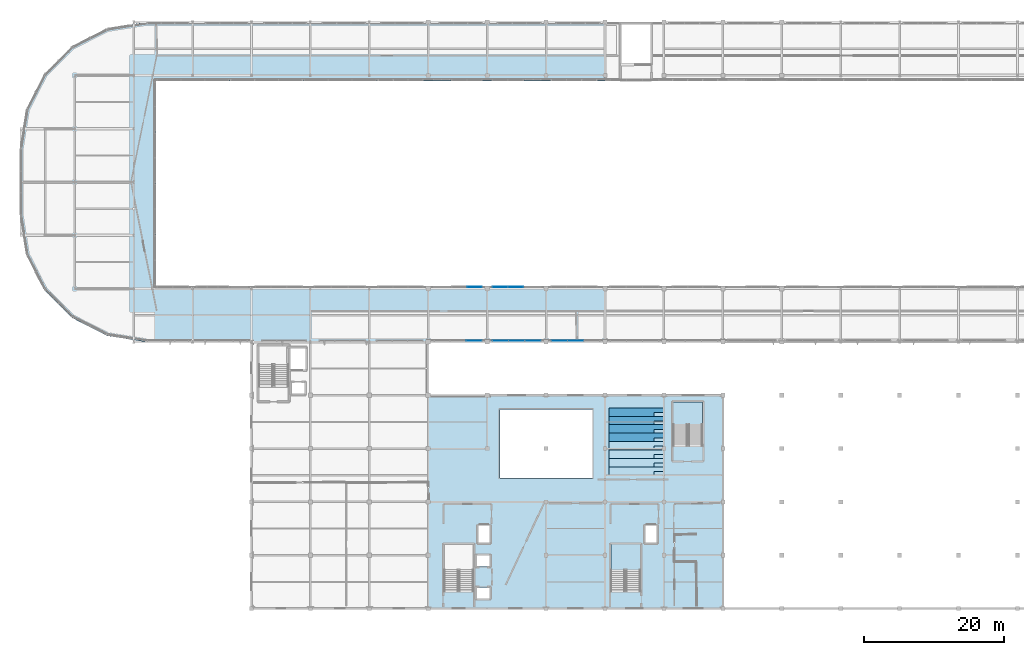
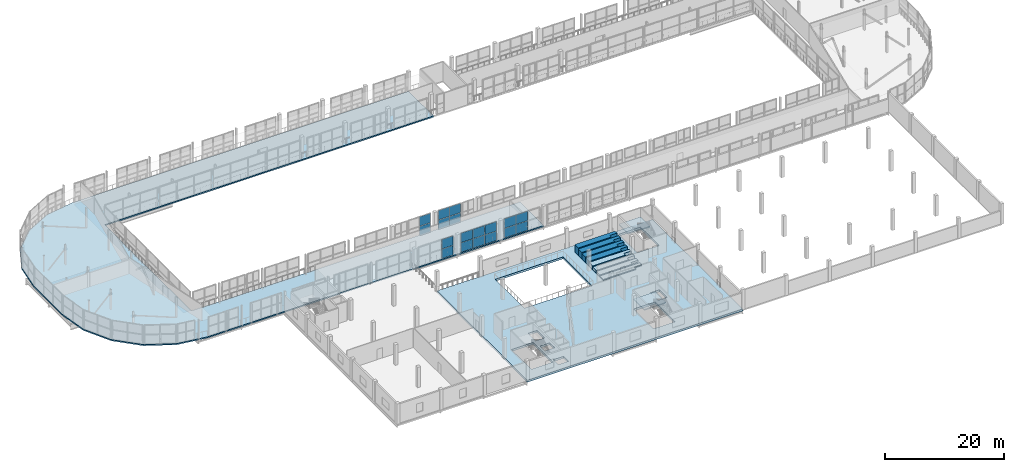
# One storey, part 114 of 151: 18 plates, 12 slabs, 7 elements without a shape of their own.
"""IFC4 building model written with IfcOpenShell, lengths in metres."""

from ifc_helpers import new_model, si_unit, direction, frame, origin, origin_2d, place, context, subcontext, project, spatial, polyline, rectangle, outline, extrude, material, layer, layer_set, type_object, element, aggregate, save


model = new_model("IFC4")

# Units and contexts
model_context = context("Model", 3, precision=1e-05, world=origin(), true_north=direction((0.0, 1.0)))
body_context = subcontext(model_context, "Body", "Model", "MODEL_VIEW")
ifc_project = project(units=[si_unit("LENGTHUNIT", "METRE"), si_unit("AREAUNIT", "SQUARE_METRE"), si_unit("VOLUMEUNIT", "CUBIC_METRE"), si_unit("PLANEANGLEUNIT", "RADIAN"), si_unit("MASSUNIT", "GRAM", prefix="KILO")], contexts=[model_context])

# Site, building, storey
site_placement = place(None, origin())
site = spatial("IfcSite", under=ifc_project, at=site_placement, CompositionType="ELEMENT")
building_placement = place(site_placement, origin())
building = spatial("IfcBuilding", under=site, at=building_placement, Name="Zuvorla Pavilion Media Centre", CompositionType="ELEMENT")
storey_placement = place(building_placement, frame((0.0, 0.0, 13.800048828125)))
storey = spatial("IfcBuildingStorey", under=building, at=storey_placement, Name="L03", CompositionType="ELEMENT", Elevation=13.800048828125)

# Curtain wall, plates
ifc_material_1 = material(Name="Unitised anodised aluminium and solar glass curtain wall", Category="aluminium")
curtain_wall_type_1 = type_object("IfcCurtainWallType", Name="CW-SYS-69", PredefinedType="USERDEFINED", material=ifc_material_1)
curtain_wall_1_placement = place(storey_placement, origin())
curtain_wall_1 = element("IfcCurtainWall", 1, at=curtain_wall_1_placement, inside=storey, type_object=curtain_wall_type_1, Name="L03 curtain wall CW69 137", ObjectType="CURTAIN WALL", PredefinedType="USERDEFINED")
ifc_material_2 = material(Name="Solar control double glazing", Category="glass")
ifc_layer_1 = layer(ifc_material_2, 0.028076171875)
ifc_layer_set_1 = layer_set([ifc_layer_1], Name="Solar control double glazing")
plate_type_1 = type_object("IfcPlateType", Name="CW-PNL-28", PredefinedType="CURTAIN_PANEL", material=ifc_layer_set_1)
plate_1_placement = place(storey_placement, frame((73.31884765625, 44.159912109375, 0.030029296875), z_axis=(0.0, 0.0, 1.0), x_axis=(1.0, 0.0, 0.0)))
plate_1 = element("IfcPlate", 2, at=plate_1_placement, type_object=plate_type_1, Name="CW69 panel 3.1", PredefinedType="CURTAIN_PANEL", context=body_context, shape_type="SweptSolid", body=[
    extrude(rectangle(XDim=2.213623046875, YDim=0.028076171875, at=origin_2d()), origin(), (0.0, 0.0, 1.0), 1.919921875),
])
plate_2_placement = place(storey_placement, frame((73.31884765625, 44.159912109375, 2.010009765625), z_axis=(0.0, 0.0, 1.0), x_axis=(1.0, 0.0, 0.0)))
plate_2 = element("IfcPlate", 3, at=plate_2_placement, type_object=plate_type_1, Name="CW69 panel 3.2", PredefinedType="CURTAIN_PANEL", context=body_context, shape_type="SweptSolid", body=[
    extrude(rectangle(XDim=2.213623046875, YDim=0.028076171875, at=origin_2d()), origin(), (0.0, 0.0, 1.0), 1.919921875),
])
aggregate(curtain_wall_1, [plate_1, plate_2])

curtain_wall_type_2 = type_object("IfcCurtainWallType", Name="CW-SYS-70", PredefinedType="USERDEFINED", material=ifc_material_1)
curtain_wall_2_placement = place(storey_placement, origin())
curtain_wall_2 = element("IfcCurtainWall", 4, at=curtain_wall_2_placement, inside=storey, type_object=curtain_wall_type_2, Name="L03 curtain wall CW70 138", ObjectType="CURTAIN WALL", PredefinedType="USERDEFINED")
ifc_material_3 = material(Name="Acoustic laminated solar glazing", Category="glass")
ifc_layer_2 = layer(ifc_material_3, 0.033935546875)
ifc_layer_set_2 = layer_set([ifc_layer_2], Name="Acoustic laminated solar glazing")
plate_type_2 = type_object("IfcPlateType", Name="CW-PNL-34", PredefinedType="CURTAIN_PANEL", material=ifc_layer_set_2)
plate_3_placement = place(storey_placement, frame((77.09619140625, 44.159912109375, 0.030029296875), z_axis=(0.0, 0.0, 1.0), x_axis=(1.0, 0.0, 0.0)))
plate_3 = element("IfcPlate", 5, at=plate_3_placement, type_object=plate_type_2, Name="CW70 panel 1.1", PredefinedType="CURTAIN_PANEL", context=body_context, shape_type="SweptSolid", body=[
    extrude(rectangle(XDim=2.243896484375, YDim=0.033935546875, at=origin_2d()), origin(), (0.0, 0.0, 1.0), 1.919921875),
])
plate_4_placement = place(storey_placement, frame((77.09619140625, 44.159912109375, 2.010009765625), z_axis=(0.0, 0.0, 1.0), x_axis=(1.0, 0.0, 0.0)))
plate_4 = element("IfcPlate", 6, at=plate_4_placement, type_object=plate_type_2, Name="CW70 panel 1.2", PredefinedType="CURTAIN_PANEL", context=body_context, shape_type="SweptSolid", body=[
    extrude(rectangle(XDim=2.243896484375, YDim=0.033935546875, at=origin_2d()), origin(), (0.0, 0.0, 1.0), 1.919921875),
])
plate_5_placement = place(storey_placement, frame((79.39990234375, 44.159912109375, 0.030029296875), z_axis=(0.0, 0.0, 1.0), x_axis=(1.0, 0.0, 0.0)))
plate_5 = element("IfcPlate", 7, at=plate_5_placement, type_object=plate_type_2, Name="CW70 panel 2.1", PredefinedType="CURTAIN_PANEL", context=body_context, shape_type="SweptSolid", body=[
    extrude(rectangle(XDim=2.243896484375, YDim=0.033935546875, at=origin_2d()), origin(), (0.0, 0.0, 1.0), 1.919921875),
])
plate_6_placement = place(storey_placement, frame((79.39990234375, 44.159912109375, 2.010009765625), z_axis=(0.0, 0.0, 1.0), x_axis=(1.0, 0.0, 0.0)))
plate_6 = element("IfcPlate", 8, at=plate_6_placement, type_object=plate_type_2, Name="CW70 panel 2.2", PredefinedType="CURTAIN_PANEL", context=body_context, shape_type="SweptSolid", body=[
    extrude(rectangle(XDim=2.243896484375, YDim=0.033935546875, at=origin_2d()), origin(), (0.0, 0.0, 1.0), 1.919921875),
])
plate_7_placement = place(storey_placement, frame((81.703857421875, 44.159912109375, 0.030029296875), z_axis=(0.0, 0.0, 1.0), x_axis=(1.0, 0.0, 0.0)))
plate_7 = element("IfcPlate", 9, at=plate_7_placement, type_object=plate_type_2, Name="CW70 panel 3.1", PredefinedType="CURTAIN_PANEL", context=body_context, shape_type="SweptSolid", body=[
    extrude(rectangle(XDim=2.243896484375, YDim=0.033935546875, at=origin_2d()), origin(), (0.0, 0.0, 1.0), 1.919921875),
])
plate_8_placement = place(storey_placement, frame((81.703857421875, 44.159912109375, 2.010009765625), z_axis=(0.0, 0.0, 1.0), x_axis=(1.0, 0.0, 0.0)))
plate_8 = element("IfcPlate", 10, at=plate_8_placement, type_object=plate_type_2, Name="CW70 panel 3.2", PredefinedType="CURTAIN_PANEL", context=body_context, shape_type="SweptSolid", body=[
    extrude(rectangle(XDim=2.243896484375, YDim=0.033935546875, at=origin_2d()), origin(), (0.0, 0.0, 1.0), 1.919921875),
])
aggregate(curtain_wall_2, [plate_3, plate_4, plate_5, plate_6, plate_7, plate_8])

curtain_wall_type_3 = type_object("IfcCurtainWallType", Name="CW-SYS-41", PredefinedType="USERDEFINED", material=ifc_material_1)
curtain_wall_3_placement = place(storey_placement, origin())
curtain_wall_3 = element("IfcCurtainWall", 11, at=curtain_wall_3_placement, inside=storey, type_object=curtain_wall_type_3, Name="L03 curtain wall CW41 160", ObjectType="CURTAIN WALL", PredefinedType="USERDEFINED")
plate_9_placement = place(storey_placement, frame((73.3818359375, 51.840087890625, 0.030029296875), z_axis=(0.0, 0.0, 1.0), x_axis=(1.0, 0.0, 0.0)))
plate_9 = element("IfcPlate", 12, at=plate_9_placement, type_object=plate_type_2, Name="CW41 panel 2.1", PredefinedType="CURTAIN_PANEL", context=body_context, shape_type="SweptSolid", body=[
    extrude(rectangle(XDim=2.087890625, YDim=0.033935546875, at=origin_2d()), origin(), (0.0, 0.0, 1.0), 1.919921875),
])
plate_10_placement = place(storey_placement, frame((73.3818359375, 51.840087890625, 2.010009765625), z_axis=(0.0, 0.0, 1.0), x_axis=(1.0, 0.0, 0.0)))
plate_10 = element("IfcPlate", 13, at=plate_10_placement, type_object=plate_type_2, Name="CW41 panel 2.2", PredefinedType="CURTAIN_PANEL", context=body_context, shape_type="SweptSolid", body=[
    extrude(rectangle(XDim=2.087890625, YDim=0.033935546875, at=origin_2d()), origin(), (0.0, 0.0, 1.0), 1.919921875),
])
aggregate(curtain_wall_3, [plate_9, plate_10])

curtain_wall_type_4 = type_object("IfcCurtainWallType", Name="CW-SYS-78", PredefinedType="USERDEFINED", material=ifc_material_1)
curtain_wall_4_placement = place(storey_placement, origin())
curtain_wall_4 = element("IfcCurtainWall", 14, at=curtain_wall_4_placement, inside=storey, type_object=curtain_wall_type_4, Name="L03 curtain wall CW78 161", ObjectType="CURTAIN WALL", PredefinedType="USERDEFINED")
plate_11_placement = place(storey_placement, frame((77.043212890625, 51.840087890625, 0.030029296875), z_axis=(0.0, 0.0, 1.0), x_axis=(1.0, 0.0, 0.0)))
plate_11 = element("IfcPlate", 15, at=plate_11_placement, type_object=plate_type_2, Name="CW78 panel 1.1", PredefinedType="CURTAIN_PANEL", context=body_context, shape_type="SweptSolid", body=[
    extrude(rectangle(XDim=2.137939453125, YDim=0.033935546875, at=origin_2d()), origin(), (0.0, 0.0, 1.0), 1.919921875),
])
plate_12_placement = place(storey_placement, frame((77.043212890625, 51.840087890625, 2.010009765625), z_axis=(0.0, 0.0, 1.0), x_axis=(1.0, 0.0, 0.0)))
plate_12 = element("IfcPlate", 16, at=plate_12_placement, type_object=plate_type_2, Name="CW78 panel 1.2", PredefinedType="CURTAIN_PANEL", context=body_context, shape_type="SweptSolid", body=[
    extrude(rectangle(XDim=2.137939453125, YDim=0.033935546875, at=origin_2d()), origin(), (0.0, 0.0, 1.0), 1.919921875),
])
plate_13_placement = place(storey_placement, frame((79.240966796875, 51.840087890625, 0.030029296875), z_axis=(0.0, 0.0, 1.0), x_axis=(1.0, 0.0, 0.0)))
plate_13 = element("IfcPlate", 17, at=plate_13_placement, type_object=plate_type_2, Name="CW78 panel 2.1", PredefinedType="CURTAIN_PANEL", context=body_context, shape_type="SweptSolid", body=[
    extrude(rectangle(XDim=2.137939453125, YDim=0.033935546875, at=origin_2d()), origin(), (0.0, 0.0, 1.0), 1.919921875),
])
plate_14_placement = place(storey_placement, frame((79.240966796875, 51.840087890625, 2.010009765625), z_axis=(0.0, 0.0, 1.0), x_axis=(1.0, 0.0, 0.0)))
plate_14 = element("IfcPlate", 18, at=plate_14_placement, type_object=plate_type_2, Name="CW78 panel 2.2", PredefinedType="CURTAIN_PANEL", context=body_context, shape_type="SweptSolid", body=[
    extrude(rectangle(XDim=2.137939453125, YDim=0.033935546875, at=origin_2d()), origin(), (0.0, 0.0, 1.0), 1.919921875),
])
aggregate(curtain_wall_4, [plate_11, plate_12, plate_13, plate_14])

curtain_wall_type_5 = type_object("IfcCurtainWallType", Name="CW-SYS-71", PredefinedType="USERDEFINED", material=ifc_material_1)
curtain_wall_5_placement = place(storey_placement, origin())
curtain_wall_5 = element("IfcCurtainWall", 19, at=curtain_wall_5_placement, inside=storey, type_object=curtain_wall_type_5, Name="L03 curtain wall CW71 139", ObjectType="CURTAIN WALL", PredefinedType="USERDEFINED")
ifc_material_4 = material(Name="Triple acoustic broadcast glazing", Category="glass")
ifc_layer_3 = layer(ifc_material_4, 0.0419921875)
ifc_layer_set_3 = layer_set([ifc_layer_3], Name="Triple acoustic broadcast glazing")
plate_type_3 = type_object("IfcPlateType", Name="CW-PNL-42", PredefinedType="CURTAIN_PANEL", material=ifc_layer_set_3)
plate_15_placement = place(storey_placement, frame((85.49609375, 44.159912109375, 0.030029296875), z_axis=(0.0, 0.0, 1.0), x_axis=(1.0, 0.0, 0.0)))
plate_15 = element("IfcPlate", 20, at=plate_15_placement, type_object=plate_type_3, Name="CW71 panel 1.1", PredefinedType="CURTAIN_PANEL", context=body_context, shape_type="SweptSolid", body=[
    extrude(rectangle(XDim=2.243896484375, YDim=0.0419921875, at=origin_2d()), origin(), (0.0, 0.0, 1.0), 1.919921875),
])
plate_16_placement = place(storey_placement, frame((85.49609375, 44.159912109375, 2.010009765625), z_axis=(0.0, 0.0, 1.0), x_axis=(1.0, 0.0, 0.0)))
plate_16 = element("IfcPlate", 21, at=plate_16_placement, type_object=plate_type_3, Name="CW71 panel 1.2", PredefinedType="CURTAIN_PANEL", context=body_context, shape_type="SweptSolid", body=[
    extrude(rectangle(XDim=2.243896484375, YDim=0.0419921875, at=origin_2d()), origin(), (0.0, 0.0, 1.0), 1.919921875),
])
plate_17_placement = place(storey_placement, frame((87.800048828125, 44.159912109375, 0.030029296875), z_axis=(0.0, 0.0, 1.0), x_axis=(1.0, 0.0, 0.0)))
plate_17 = element("IfcPlate", 22, at=plate_17_placement, type_object=plate_type_3, Name="CW71 panel 2.1", PredefinedType="CURTAIN_PANEL", context=body_context, shape_type="SweptSolid", body=[
    extrude(rectangle(XDim=2.243896484375, YDim=0.0419921875, at=origin_2d()), origin(), (0.0, 0.0, 1.0), 1.919921875),
])
plate_18_placement = place(storey_placement, frame((87.800048828125, 44.159912109375, 2.010009765625), z_axis=(0.0, 0.0, 1.0), x_axis=(1.0, 0.0, 0.0)))
plate_18 = element("IfcPlate", 23, at=plate_18_placement, type_object=plate_type_3, Name="CW71 panel 2.2", PredefinedType="CURTAIN_PANEL", context=body_context, shape_type="SweptSolid", body=[
    extrude(rectangle(XDim=2.243896484375, YDim=0.0419921875, at=origin_2d()), origin(), (0.0, 0.0, 1.0), 1.919921875),
])
aggregate(curtain_wall_5, [plate_15, plate_16, plate_17, plate_18])

# Slabs
ifc_material_5 = material(Name="Concrete C40/50", Category="concrete")
ifc_layer_4 = layer(ifc_material_5, 0.25)
ifc_layer_set_4 = layer_set([ifc_layer_4], Name="Concrete C40/50")
slab_type_1 = type_object("IfcSlabType", Name="SLB-FLR-250", PredefinedType="FLOOR", material=ifc_layer_set_4)
slab_1_placement = place(storey_placement, frame((0.0, 0.0, -0.25)))
element("IfcSlab", 24, at=slab_1_placement, inside=storey, type_object=slab_type_1, Name="L03 floor slab RING", PredefinedType="FLOOR", context=body_context, shape_type="SweptSolid", body=[
    extrude(outline(polyline([(21.03759765625, 44.881103515625), (16.02001953125, 47.437744140625), (12.03759765625, 51.419921875), (9.48095703125, 56.437744140625), (8.60009765625, 62.0), (8.60009765625, 71.60009765625), (9.48095703125, 77.162353515625), (12.03759765625, 82.18017578125), (16.02001953125, 86.162353515625), (21.03759765625, 88.718994140625), (26.60009765625, 89.60009765625), (92.0, 89.60009765625), (92.0, 81.199951171875), (28.0, 81.199951171875), (28.0, 52.0), (92.0, 52.0), (92.0, 44.0), (26.60009765625, 44.0), (21.03759765625, 44.881103515625)])), origin(), (0.0, 0.0, 1.0), 0.25),
])
ifc_layer_5 = layer(ifc_material_5, 0.419921875)
ifc_layer_set_5 = layer_set([ifc_layer_5], Name="Concrete C40/50")
slab_type_2 = type_object("IfcSlabType", Name="SLB-FLR-400", PredefinedType="FLOOR", material=ifc_layer_set_5)
slab_2_placement = place(storey_placement, frame((0.0, 0.0, -0.420166015625)))
element("IfcSlab", 25, at=slab_2_placement, inside=storey, type_object=slab_type_2, Name="L03 floor slab CB", PredefinedType="FLOOR", context=body_context, shape_type="SweptSolid", body=[
    extrude(outline(polyline([(66.800048828125, 6.0), (66.800048828125, 36.39990234375), (108.800048828125, 36.39990234375), (108.800048828125, 6.0), (66.800048828125, 6.0)]), holes=[polyline([(73.669921875, 9.030029296875), (73.669921875, 7.3701171875), (75.6298828125, 7.3701171875), (75.6298828125, 9.030029296875), (73.669921875, 9.030029296875)]), polyline([(69.050048828125, 15.14990234375), (69.050048828125, 8.449951171875), (73.25, 8.449951171875), (73.25, 15.14990234375), (69.050048828125, 15.14990234375)]), polyline([(92.85009765625, 15.14990234375), (92.85009765625, 8.449951171875), (97.050048828125, 8.449951171875), (97.050048828125, 15.14990234375), (92.85009765625, 15.14990234375)]), polyline([(73.669921875, 13.6298828125), (73.669921875, 11.969970703125), (75.6298828125, 11.969970703125), (75.6298828125, 13.6298828125), (73.669921875, 13.6298828125)]), polyline([(73.8701171875, 17.8798828125), (73.8701171875, 15.320068359375), (75.6298828125, 15.320068359375), (75.6298828125, 17.8798828125), (73.8701171875, 17.8798828125)]), polyline([(97.669921875, 17.8798828125), (97.669921875, 15.320068359375), (99.429931640625, 15.320068359375), (99.429931640625, 17.8798828125), (97.669921875, 17.8798828125)]), polyline([(77.0, 34.39990234375), (77.0, 24.60009765625), (90.199951171875, 24.60009765625), (90.199951171875, 34.39990234375), (77.0, 34.39990234375)]), polyline([(101.699951171875, 35.449951171875), (101.699951171875, 29.199951171875), (105.89990234375, 29.199951171875), (105.89990234375, 35.449951171875), (101.699951171875, 35.449951171875)])]), origin(), (0.0, 0.0, 1.0), 0.420166015625),
])

# Stair, slab
stair_type = type_object("IfcStairType", Name="STR-DOG-420", PredefinedType="TWO_STRAIGHT_RUN_STAIR", material=ifc_material_5)
stair_1_placement = place(storey_placement, origin())
stair_1 = element("IfcStair", 26, at=stair_1_placement, inside=storey, type_object=stair_type, Name="L03 exit stair ST-02", PredefinedType="TWO_STRAIGHT_RUN_STAIR")
ifc_layer_6 = layer(ifc_material_5, 0.199951171875)
ifc_layer_set_6 = layer_set([ifc_layer_6], Name="Concrete C40/50")
slab_type_3 = type_object("IfcSlabType", Name="SLB-LND-200", PredefinedType="LANDING", material=ifc_layer_set_6)
slab_3_placement = place(storey_placement, frame((0.0, 0.0, 1.89990234375)))
slab_3 = element("IfcSlab", 27, at=slab_3_placement, type_object=slab_type_3, Name="ST-02 landing 1", PredefinedType="LANDING", context=body_context, shape_type="SweptSolid", body=[
    extrude(outline(polyline([(92.830078125, 11.510009765625), (97.070068359375, 11.510009765625), (97.070068359375, 15.169921875), (92.830078125, 15.169921875), (92.830078125, 11.510009765625)])), origin(), (0.0, 0.0, 1.0), 0.199951171875),
])
aggregate(stair_1, [slab_3])

stair_2_placement = place(storey_placement, origin())
stair_2 = element("IfcStair", 28, at=stair_2_placement, inside=storey, type_object=stair_type, Name="L03 exit stair ST-04", PredefinedType="TWO_STRAIGHT_RUN_STAIR")
slab_4_placement = place(storey_placement, frame((0.0, 0.0, 1.89990234375)))
slab_4 = element("IfcSlab", 29, at=slab_4_placement, type_object=slab_type_3, Name="ST-04 landing 1", PredefinedType="LANDING", context=body_context, shape_type="SweptSolid", body=[
    extrude(outline(polyline([(101.679931640625, 32.260009765625), (105.919921875, 32.260009765625), (105.919921875, 35.469970703125), (101.679931640625, 35.469970703125), (101.679931640625, 32.260009765625)])), origin(), (0.0, 0.0, 1.0), 0.199951171875),
])
aggregate(stair_2, [slab_4])

# Slabs
ifc_material_6 = material(Name="Precast concrete C40/50", Category="concrete")
ifc_layer_7 = layer(ifc_material_6, 0.14990234375)
ifc_layer_set_7 = layer_set([ifc_layer_7], Name="Precast concrete C40/50")
slab_type_4 = type_object("IfcSlabType", Name="SLB-TIER-150", PredefinedType="USERDEFINED", material=ifc_layer_set_7)
slab_5_placement = place(storey_placement, origin())
element("IfcSlab", 30, at=slab_5_placement, inside=storey, type_object=slab_type_4, Name="L03 SCR5 seating tier 1", ObjectType="SEATING TIER", PredefinedType="USERDEFINED", context=body_context, shape_type="SweptSolid", body=[
    extrude(outline(polyline([(92.60009765625, 25.0), (99.0, 25.0), (99.0, 25.5400390625), (100.39990234375, 25.5400390625), (100.39990234375, 26.199951171875), (92.60009765625, 26.199951171875), (92.60009765625, 25.0)])), origin(), (0.0, 0.0, 1.0), 0.199951171875),
])
slab_6_placement = place(storey_placement, origin())
element("IfcSlab", 31, at=slab_6_placement, inside=storey, type_object=slab_type_4, Name="L03 SCR5 seating tier 2", ObjectType="SEATING TIER", PredefinedType="USERDEFINED", context=body_context, shape_type="SweptSolid", body=[
    extrude(outline(polyline([(92.60009765625, 26.199951171875), (99.0, 26.199951171875), (99.0, 26.739990234375), (100.39990234375, 26.739990234375), (100.39990234375, 27.39990234375), (92.60009765625, 27.39990234375), (92.60009765625, 26.199951171875)])), origin(), (0.0, 0.0, 1.0), 0.39990234375),
])
slab_7_placement = place(storey_placement, origin())
element("IfcSlab", 32, at=slab_7_placement, inside=storey, type_object=slab_type_4, Name="L03 SCR5 seating tier 3", ObjectType="SEATING TIER", PredefinedType="USERDEFINED", context=body_context, shape_type="SweptSolid", body=[
    extrude(outline(polyline([(92.60009765625, 27.39990234375), (99.0, 27.39990234375), (99.0, 27.93994140625), (100.39990234375, 27.93994140625), (100.39990234375, 28.60009765625), (92.60009765625, 28.60009765625), (92.60009765625, 27.39990234375)])), origin(), (0.0, 0.0, 1.0), 0.599853515625),
])
slab_8_placement = place(storey_placement, origin())
element("IfcSlab", 33, at=slab_8_placement, inside=storey, type_object=slab_type_4, Name="L03 SCR5 seating tier 4", ObjectType="SEATING TIER", PredefinedType="USERDEFINED", context=body_context, shape_type="SweptSolid", body=[
    extrude(outline(polyline([(92.60009765625, 28.60009765625), (99.0, 28.60009765625), (99.0, 29.139892578125), (100.39990234375, 29.139892578125), (100.39990234375, 29.800048828125), (92.60009765625, 29.800048828125), (92.60009765625, 28.60009765625)])), origin(), (0.0, 0.0, 1.0), 0.800048828125),
])
slab_9_placement = place(storey_placement, origin())
element("IfcSlab", 34, at=slab_9_placement, inside=storey, type_object=slab_type_4, Name="L03 SCR5 seating tier 5", ObjectType="SEATING TIER", PredefinedType="USERDEFINED", context=body_context, shape_type="SweptSolid", body=[
    extrude(outline(polyline([(92.60009765625, 29.800048828125), (99.0, 29.800048828125), (99.0, 30.340087890625), (100.39990234375, 30.340087890625), (100.39990234375, 31.0), (92.60009765625, 31.0), (92.60009765625, 29.800048828125)])), origin(), (0.0, 0.0, 1.0), 1.0),
])
slab_10_placement = place(storey_placement, origin())
element("IfcSlab", 35, at=slab_10_placement, inside=storey, type_object=slab_type_4, Name="L03 SCR5 seating tier 6", ObjectType="SEATING TIER", PredefinedType="USERDEFINED", context=body_context, shape_type="SweptSolid", body=[
    extrude(outline(polyline([(92.60009765625, 31.0), (99.0, 31.0), (99.0, 31.5400390625), (100.39990234375, 31.5400390625), (100.39990234375, 32.199951171875), (92.60009765625, 32.199951171875), (92.60009765625, 31.0)])), origin(), (0.0, 0.0, 1.0), 1.199951171875),
])
slab_11_placement = place(storey_placement, origin())
element("IfcSlab", 36, at=slab_11_placement, inside=storey, type_object=slab_type_4, Name="L03 SCR5 seating tier 7", ObjectType="SEATING TIER", PredefinedType="USERDEFINED", context=body_context, shape_type="SweptSolid", body=[
    extrude(outline(polyline([(92.60009765625, 32.199951171875), (99.0, 32.199951171875), (99.0, 32.739990234375), (100.39990234375, 32.739990234375), (100.39990234375, 33.39990234375), (92.60009765625, 33.39990234375), (92.60009765625, 32.199951171875)])), origin(), (0.0, 0.0, 1.0), 1.39990234375),
])
slab_12_placement = place(storey_placement, origin())
element("IfcSlab", 37, at=slab_12_placement, inside=storey, type_object=slab_type_4, Name="L03 SCR5 seating tier 8", ObjectType="SEATING TIER", PredefinedType="USERDEFINED", context=body_context, shape_type="SweptSolid", body=[
    extrude(outline(polyline([(92.60009765625, 33.39990234375), (99.0, 33.39990234375), (99.0, 33.93994140625), (100.39990234375, 33.93994140625), (100.39990234375, 34.60009765625), (92.60009765625, 34.60009765625), (92.60009765625, 33.39990234375)])), origin(), (0.0, 0.0, 1.0), 1.599853515625),
])

save(model, "model.ifc")
